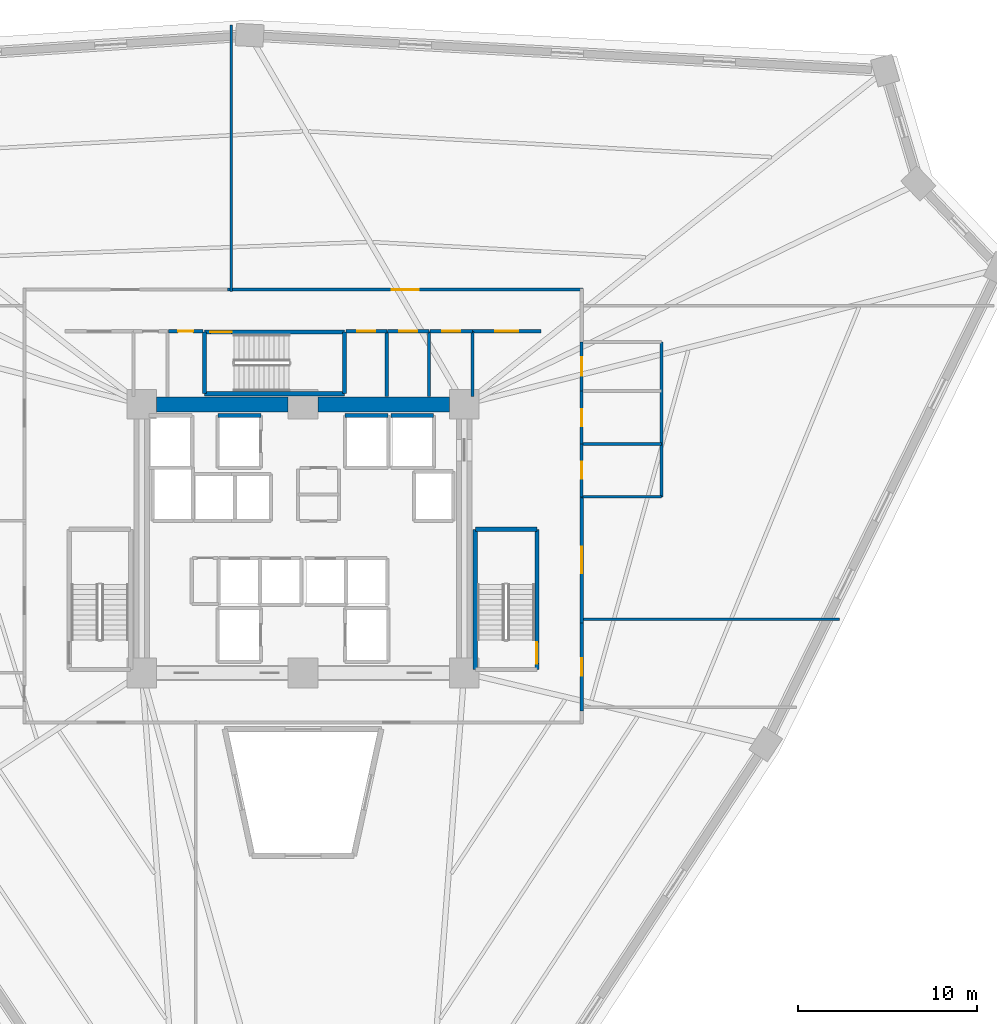
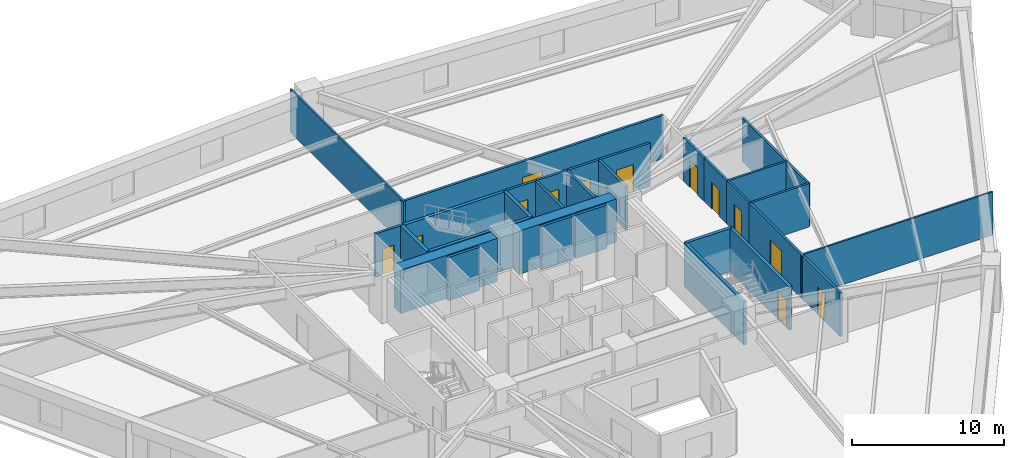
# One storey, part 6 of 8: 31 walls, 13 doors, 13 openings.
"""IFC4 building model written with IfcOpenShell, lengths in metres."""

from ifc_helpers import new_model, si_unit, direction, frame, frame_2d, origin, place, context, subcontext, project, spatial, rectangle, extrude, source, transform, mapped, material, layer, layer_set, type_object, element, fill, save


model = new_model("IFC4")

# Units and contexts
model_context = context("Model", 3, precision=1e-05, world=origin(), true_north=direction((0.0, 1.0)))
body_context = subcontext(model_context, "Body", "Model", "MODEL_VIEW")
ifc_project = project(units=[si_unit("LENGTHUNIT", "METRE"), si_unit("AREAUNIT", "SQUARE_METRE"), si_unit("VOLUMEUNIT", "CUBIC_METRE"), si_unit("PLANEANGLEUNIT", "RADIAN"), si_unit("MASSUNIT", "GRAM", prefix="KILO")], contexts=[model_context])

# Site, building, storey
site_placement = place(None, origin())
site = spatial("IfcSite", under=ifc_project, at=site_placement, CompositionType="ELEMENT")
building_placement = place(site_placement, origin())
building = spatial("IfcBuilding", under=site, at=building_placement, Name="Liaohun Quay Tower", CompositionType="ELEMENT")
storey_placement = place(building_placement, frame((0.0, 0.0, 43.5)))
storey = spatial("IfcBuildingStorey", under=building, at=storey_placement, Name="L11", CompositionType="ELEMENT", Elevation=43.5)

# Walls
ifc_material_1 = material(Name="Concrete C60", Category="concrete")
ifc_layer_1 = layer(ifc_material_1, 0.85009765625, Name="Concrete C60", Category="concrete")
ifc_layer_set_1 = layer_set([ifc_layer_1], Name="Concrete C60")
wall_type_1 = type_object("IfcWallType", Name="WAL-COR-Z1", PredefinedType="SHEAR", material=ifc_layer_set_1)
for number, where, z_axis, x_axis, name in (
    (1, (51.824951171875, 61.5, 0.0), (0.0, 0.0, 1.0), (1.0, 0.0, 0.0), "L11 Central Core Shear Wall N-W"),
    (2, (60.824951171875, 61.5, 0.0), (0.0, 0.0, 1.0), (1.0, 0.0, 0.0), "L11 Central Core Shear Wall N-E"),
):
    element("IfcWall", number, at=place(storey_placement, frame(where, z_axis=z_axis, x_axis=x_axis)), inside=storey, type_object=wall_type_1, Name=name, PredefinedType="SHEAR", context=body_context, shape_type="SweptSolid", body=[
        extrude(rectangle(XDim=7.35009765625, YDim=0.85009765625, at=frame_2d((3.675048828125, 0.0))), origin(), (0.0, 0.0, 1.0), 3.469970703125),
    ])

# Wall, opening, door
ifc_material_2 = material(Name="Autoclaved aerated concrete blockwork", Category="masonry")
ifc_layer_2 = layer(ifc_material_2, 0.179931640625, Name="Autoclaved aerated concrete blockwork", Category="masonry")
ifc_layer_set_2 = layer_set([ifc_layer_2], Name="Autoclaved aerated concrete blockwork")
wall_type_2 = type_object("IfcWallType", Name="WAL-PRT-COR", PredefinedType="PARTITIONING", material=ifc_layer_set_2)
wall_1_placement = place(storey_placement, frame((52.47998046875, 65.580078125, 0.0), z_axis=(0.0, 0.0, 1.0), x_axis=(1.0, 0.0, 0.0)))
wall_1 = element("IfcWall", 3, at=wall_1_placement, inside=storey, type_object=wall_type_2, Name="L11 Interior Partition Wall 008", PredefinedType="PARTITIONING", context=body_context, shape_type="SweptSolid", body=[
    extrude(rectangle(XDim=1.929931640625, YDim=0.179931640625, at=frame_2d((0.96484375, 0.0))), origin(), (0.0, 0.0, 1.0), 3.469970703125),
])
shared_shape_1 = source(origin(), body_context, "Body", "SweptSolid", [
    extrude(rectangle(XDim=0.85009765625, YDim=2.10009765625, at=frame_2d((0.425048828125, 1.050048828125))), frame((0.0, 0.099853515625, 0.0), z_axis=(0.0, -1.0, 0.0), x_axis=(1.0, 0.0, 0.0)), (0.0, 0.0, 1.0), 0.199951171875),
])
opening_1_placement = place(wall_1_placement, frame((0.5400390625, 0.0, 0.0)))
opening_1 = element("IfcOpeningElement", 4, at=opening_1_placement, cuts=wall_1, Name="Opening AD1", PredefinedType="OPENING", context=body_context, shape_type="MappedRepresentation", body=[
    mapped(shared_shape_1, transform((0.0, 0.0, 0.0), x_axis=(1.0, 0.0, 0.0), y_axis=(0.0, 1.0, 0.0), z_axis=(0.0, 0.0, 1.0), scale=1.0)),
])
ifc_material_3 = material(Name="Steel riser inspection fire door", Category="steel")
door_type_1 = type_object("IfcDoorType", Name="DOR-SHF-850", OperationType="NOTDEFINED", PredefinedType="DOOR", material=ifc_material_3)
shared_shape_2 = source(origin(), body_context, "Body", "SweptSolid", [
    extrude(rectangle(XDim=0.85009765625, YDim=2.10009765625, at=frame_2d((0.425048828125, 1.050048828125))), frame((0.0, 0.02490234375, 0.0), z_axis=(0.0, -1.0, 0.0), x_axis=(1.0, 0.0, 0.0)), (0.0, 0.0, 1.0), 0.050048828125),
])
door_1_placement = place(opening_1_placement, origin())
door_1 = element("IfcDoor", 5, at=door_1_placement, inside=storey, type_object=door_type_1, Name="L11 North-West Print Closet Door", OperationType="SINGLE_SWING_LEFT", OverallHeight=2.10009765625, OverallWidth=0.85009765625, PredefinedType="DOOR", context=body_context, shape_type="MappedRepresentation", body=[
    mapped(shared_shape_2, transform((0.0, 0.0, 0.0), x_axis=(1.0, 0.0, 0.0), y_axis=(0.0, 1.0, 0.0), z_axis=(0.0, 0.0, 1.0), scale=1.0)),
])
fill(opening_1, door_1)

wall_2_placement = place(storey_placement, frame((62.389892578125, 65.580078125, 0.0), z_axis=(0.0, 0.0, 1.0), x_axis=(1.0, 0.0, 0.0)))
wall_2 = element("IfcWall", 6, at=wall_2_placement, inside=storey, type_object=wall_type_2, Name="L11 Interior Partition Wall 009", PredefinedType="PARTITIONING", context=body_context, shape_type="SweptSolid", body=[
    extrude(rectangle(XDim=2.2900390625, YDim=0.179931640625, at=frame_2d((1.14501953125, 0.0))), origin(), (0.0, 0.0, 1.0), 3.469970703125),
])
shared_shape_3 = source(origin(), body_context, "Body", "SweptSolid", [
    extrude(rectangle(XDim=1.0, YDim=2.199951171875, at=frame_2d((0.5, 1.10009765625))), frame((0.0, 0.099853515625, 0.0), z_axis=(0.0, -1.0, 0.0), x_axis=(1.0, 0.0, 0.0)), (0.0, 0.0, 1.0), 0.199951171875),
])
opening_2_placement = place(wall_2_placement, frame((0.64501953125, 0.0, 0.0)))
opening_2 = element("IfcOpeningElement", 7, at=opening_2_placement, cuts=wall_2, Name="Opening OD1", PredefinedType="OPENING", context=body_context, shape_type="MappedRepresentation", body=[
    mapped(shared_shape_3, transform((0.0, 0.0, 0.0), x_axis=(1.0, 0.0, 0.0), y_axis=(0.0, 1.0, 0.0), z_axis=(0.0, 0.0, 1.0), scale=1.0)),
])
ifc_material_4 = material(Name="Solid-core oak veneer timber leaf in steel frame", Category="steel")
door_type_2 = type_object("IfcDoorType", Name="DOR-OFF-1000", OperationType="NOTDEFINED", PredefinedType="DOOR", material=ifc_material_4)
shared_shape_4 = source(origin(), body_context, "Body", "SweptSolid", [
    extrude(rectangle(XDim=1.0, YDim=2.199951171875, at=frame_2d((0.5, 1.10009765625))), frame((0.0, 0.02490234375, 0.0), z_axis=(0.0, -1.0, 0.0), x_axis=(1.0, 0.0, 0.0)), (0.0, 0.0, 1.0), 0.050048828125),
])
door_2_placement = place(opening_2_placement, origin())
door_2 = element("IfcDoor", 8, at=door_2_placement, inside=storey, type_object=door_type_2, Name="L11 North-East Mail Store Door", OperationType="SINGLE_SWING_RIGHT", OverallHeight=2.199951171875, OverallWidth=1.0, PredefinedType="DOOR", context=body_context, shape_type="MappedRepresentation", body=[
    mapped(shared_shape_4, transform((0.0, 0.0, 0.0), x_axis=(1.0, 0.0, 0.0), y_axis=(0.0, 1.0, 0.0), z_axis=(0.0, 0.0, 1.0), scale=1.0)),
])
fill(opening_2, door_2)

wall_3_placement = place(storey_placement, frame((64.719970703125, 65.580078125, 0.0), z_axis=(0.0, 0.0, 1.0), x_axis=(1.0, 0.0, 0.0)))
wall_3 = element("IfcWall", 9, at=wall_3_placement, inside=storey, type_object=wall_type_2, Name="L11 Interior Partition Wall 010", PredefinedType="PARTITIONING", context=body_context, shape_type="SweptSolid", body=[
    extrude(rectangle(XDim=2.320068359375, YDim=0.179931640625, at=frame_2d((1.16015625, 0.0))), origin(), (0.0, 0.0, 1.0), 3.469970703125),
])
opening_3_placement = place(wall_3_placement, frame((0.659912109375, 0.0, 0.0)))
opening_3 = element("IfcOpeningElement", 10, at=opening_3_placement, cuts=wall_3, Name="Opening OD1", PredefinedType="OPENING", context=body_context, shape_type="MappedRepresentation", body=[
    mapped(shared_shape_3, transform((0.0, 0.0, 0.0), x_axis=(1.0, 0.0, 0.0), y_axis=(0.0, 1.0, 0.0), z_axis=(0.0, 0.0, 1.0), scale=1.0)),
])
door_3_placement = place(opening_3_placement, origin())
door_3 = element("IfcDoor", 11, at=door_3_placement, inside=storey, type_object=door_type_2, Name="L11 North-East Comms Room Door", OperationType="SINGLE_SWING_LEFT", OverallHeight=2.199951171875, OverallWidth=1.0, PredefinedType="DOOR", context=body_context, shape_type="MappedRepresentation", body=[
    mapped(shared_shape_4, transform((0.0, 0.0, 0.0), x_axis=(1.0, 0.0, 0.0), y_axis=(0.0, 1.0, 0.0), z_axis=(0.0, 0.0, 1.0), scale=1.0)),
])
fill(opening_3, door_3)

wall_4_placement = place(storey_placement, frame((67.080078125, 65.580078125, 0.0), z_axis=(0.0, 0.0, 1.0), x_axis=(1.0, 0.0, 0.0)))
wall_4 = element("IfcWall", 12, at=wall_4_placement, inside=storey, type_object=wall_type_2, Name="L11 Interior Partition Wall 011", PredefinedType="PARTITIONING", context=body_context, shape_type="SweptSolid", body=[
    extrude(rectangle(XDim=2.3798828125, YDim=0.179931640625, at=frame_2d((1.18994140625, 0.0))), origin(), (0.0, 0.0, 1.0), 3.469970703125),
])
opening_4_placement = place(wall_4_placement, frame((0.68994140625, 0.0, 0.0)))
opening_4 = element("IfcOpeningElement", 13, at=opening_4_placement, cuts=wall_4, Name="Opening OD1", PredefinedType="OPENING", context=body_context, shape_type="MappedRepresentation", body=[
    mapped(shared_shape_3, transform((0.0, 0.0, 0.0), x_axis=(1.0, 0.0, 0.0), y_axis=(0.0, 1.0, 0.0), z_axis=(0.0, 0.0, 1.0), scale=1.0)),
])
door_4_placement = place(opening_4_placement, origin())
door_4 = element("IfcDoor", 14, at=door_4_placement, inside=storey, type_object=door_type_2, Name="L11 North-East Cleaner Store Door", OperationType="SINGLE_SWING_RIGHT", OverallHeight=2.199951171875, OverallWidth=1.0, PredefinedType="DOOR", context=body_context, shape_type="MappedRepresentation", body=[
    mapped(shared_shape_4, transform((0.0, 0.0, 0.0), x_axis=(1.0, 0.0, 0.0), y_axis=(0.0, 1.0, 0.0), z_axis=(0.0, 0.0, 1.0), scale=1.0)),
])
fill(opening_4, door_4)

wall_5_placement = place(storey_placement, frame((69.4599609375, 65.580078125, 0.0), z_axis=(0.0, 0.0, 1.0), x_axis=(1.0, 0.0, 0.0)))
wall_5 = element("IfcWall", 15, at=wall_5_placement, inside=storey, type_object=wall_type_2, Name="L11 Interior Partition Wall 013", PredefinedType="PARTITIONING", context=body_context, shape_type="SweptSolid", body=[
    extrude(rectangle(XDim=3.840087890625, YDim=0.179931640625, at=frame_2d((1.919921875, 0.0))), origin(), (0.0, 0.0, 1.0), 3.469970703125),
])
shared_shape_5 = source(origin(), body_context, "Body", "SweptSolid", [
    extrude(rectangle(XDim=1.300048828125, YDim=2.199951171875, at=frame_2d((0.64990234375, 1.10009765625))), frame((0.0, 0.099853515625, 0.0), z_axis=(0.0, -1.0, 0.0), x_axis=(1.0, 0.0, 0.0)), (0.0, 0.0, 1.0), 0.199951171875),
])
opening_5_placement = place(wall_5_placement, frame((1.27001953125, 0.0, 0.0)))
opening_5 = element("IfcOpeningElement", 16, at=opening_5_placement, cuts=wall_5, Name="Opening FD1", PredefinedType="OPENING", context=body_context, shape_type="MappedRepresentation", body=[
    mapped(shared_shape_5, transform((0.0, 0.0, 0.0), x_axis=(1.0, 0.0, 0.0), y_axis=(0.0, 1.0, 0.0), z_axis=(0.0, 0.0, 1.0), scale=1.0)),
])
ifc_material_5 = material(Name="Galvanised steel smokeproof fire door", Category="steel")
door_type_3 = type_object("IfcDoorType", Name="DOR-FFL-1300", OperationType="NOTDEFINED", PredefinedType="DOOR", material=ifc_material_5)
shared_shape_6 = source(origin(), body_context, "Body", "SweptSolid", [
    extrude(rectangle(XDim=1.300048828125, YDim=2.199951171875, at=frame_2d((0.64990234375, 1.10009765625))), frame((0.0, 0.02490234375, 0.0), z_axis=(0.0, -1.0, 0.0), x_axis=(1.0, 0.0, 0.0)), (0.0, 0.0, 1.0), 0.050048828125),
])
door_5_placement = place(opening_5_placement, origin())
door_5 = element("IfcDoor", 17, at=door_5_placement, inside=storey, type_object=door_type_3, Name="L11 East Core Vestibule Door", OperationType="SINGLE_SWING_RIGHT", OverallHeight=2.199951171875, OverallWidth=1.300048828125, PredefinedType="DOOR", context=body_context, shape_type="MappedRepresentation", body=[
    mapped(shared_shape_6, transform((0.0, 0.0, 0.0), x_axis=(1.0, 0.0, 0.0), y_axis=(0.0, 1.0, 0.0), z_axis=(0.0, 0.0, 1.0), scale=1.0)),
])
fill(opening_5, door_5)

wall_6_placement = place(storey_placement, frame((75.56005859375, 56.340087890625, 0.0), z_axis=(0.0, 0.0, 1.0), x_axis=(0.0, -1.0, 0.0)))
wall_6 = element("IfcWall", 18, at=wall_6_placement, inside=storey, type_object=wall_type_2, Name="L11 Interior Partition Wall 014", PredefinedType="PARTITIONING", context=body_context, shape_type="SweptSolid", body=[
    extrude(rectangle(XDim=7.05517578125, YDim=0.179931640625, at=frame_2d((3.527587890625, 0.0))), origin(), (0.0, 0.0, 1.0), 3.469970703125),
])
shared_shape_7 = source(origin(), body_context, "Body", "SweptSolid", [
    extrude(rectangle(XDim=1.5, YDim=2.199951171875, at=frame_2d((0.75, 1.10009765625))), frame((0.0, 0.099853515625, 0.0), z_axis=(0.0, -1.0, 0.0), x_axis=(1.0, 0.0, 0.0)), (0.0, 0.0, 1.0), 0.199951171875),
])
opening_6_placement = place(wall_6_placement, frame((2.778076171875, 0.0, 0.0)))
opening_6 = element("IfcOpeningElement", 19, at=opening_6_placement, cuts=wall_6, Name="Opening OD2", PredefinedType="OPENING", context=body_context, shape_type="MappedRepresentation", body=[
    mapped(shared_shape_7, transform((0.0, 0.0, 0.0), x_axis=(1.0, 0.0, 0.0), y_axis=(0.0, 1.0, 0.0), z_axis=(0.0, 0.0, 1.0), scale=1.0)),
])
ifc_material_6 = material(Name="Acoustic oak veneer double door")
door_type_4 = type_object("IfcDoorType", Name="DOR-OFF-1500", OperationType="DOUBLE_DOOR_SINGLE_SWING", PredefinedType="DOOR", material=ifc_material_6)
shared_shape_8 = source(origin(), body_context, "Body", "SweptSolid", [
    extrude(rectangle(XDim=1.5, YDim=2.199951171875, at=frame_2d((0.75, 1.10009765625))), frame((0.0, 0.02490234375, 0.0), z_axis=(0.0, -1.0, 0.0), x_axis=(1.0, 0.0, 0.0)), (0.0, 0.0, 1.0), 0.050048828125),
])
door_6_placement = place(opening_6_placement, origin())
door_6 = element("IfcDoor", 20, at=door_6_placement, inside=storey, type_object=door_type_4, Name="L11 Architectural Design Studio 01 Door", OperationType="DOUBLE_DOOR_SINGLE_SWING", OverallHeight=2.199951171875, OverallWidth=1.5, PredefinedType="DOOR", context=body_context, shape_type="MappedRepresentation", body=[
    mapped(shared_shape_8, transform((0.0, 0.0, 0.0), x_axis=(1.0, 0.0, 0.0), y_axis=(0.0, 1.0, 0.0), z_axis=(0.0, 0.0, 1.0), scale=1.0)),
])
fill(opening_6, door_6)

wall_7_placement = place(storey_placement, frame((55.784912109375, 67.909912109375, 0.0), z_axis=(0.0, 0.0, 1.0), x_axis=(1.0, 0.0, 0.0)))
wall_7 = element("IfcWall", 21, at=wall_7_placement, inside=storey, type_object=wall_type_2, Name="L11 Interior Partition Wall 015", PredefinedType="PARTITIONING", context=body_context, shape_type="SweptSolid", body=[
    extrude(rectangle(XDim=19.844970703125, YDim=0.179931640625, at=frame_2d((9.92236328125, 0.0))), origin(), (0.0, 0.0, 1.0), 3.469970703125),
])
opening_7_placement = place(wall_7_placement, frame((9.172119140625, 0.0, 0.0)))
opening_7 = element("IfcOpeningElement", 22, at=opening_7_placement, cuts=wall_7, Name="Opening OD2", PredefinedType="OPENING", context=body_context, shape_type="MappedRepresentation", body=[
    mapped(shared_shape_7, transform((0.0, 0.0, 0.0), x_axis=(1.0, 0.0, 0.0), y_axis=(0.0, 1.0, 0.0), z_axis=(0.0, 0.0, 1.0), scale=1.0)),
])
door_7_placement = place(opening_7_placement, origin())
door_7 = element("IfcDoor", 23, at=door_7_placement, inside=storey, type_object=door_type_4, Name="L11 Staff Daycare Nursery 02 Door", OperationType="DOUBLE_DOOR_SINGLE_SWING", OverallHeight=2.199951171875, OverallWidth=1.5, PredefinedType="DOOR", context=body_context, shape_type="MappedRepresentation", body=[
    mapped(shared_shape_8, transform((0.0, 0.0, 0.0), x_axis=(1.0, 0.0, 0.0), y_axis=(0.0, 1.0, 0.0), z_axis=(0.0, 0.0, 1.0), scale=1.0)),
])
fill(opening_7, door_7)

wall_8_placement = place(storey_placement, frame((75.56005859375, 49.284912109375, 0.0), z_axis=(0.0, 0.0, 1.0), x_axis=(0.0, -1.0, 0.0)))
wall_8 = element("IfcWall", 24, at=wall_8_placement, inside=storey, type_object=wall_type_2, Name="L11 Interior Partition Wall 022", PredefinedType="PARTITIONING", context=body_context, shape_type="SweptSolid", body=[
    extrude(rectangle(XDim=4.89990234375, YDim=0.179931640625, at=frame_2d((2.449951171875, 0.0))), origin(), (0.0, 0.0, 1.0), 3.469970703125),
])
opening_8_placement = place(wall_8_placement, frame((1.949951171875, 0.0, 0.0)))
opening_8 = element("IfcOpeningElement", 25, at=opening_8_placement, cuts=wall_8, Name="Opening OD1", PredefinedType="OPENING", context=body_context, shape_type="MappedRepresentation", body=[
    mapped(shared_shape_3, transform((0.0, 0.0, 0.0), x_axis=(1.0, 0.0, 0.0), y_axis=(0.0, 1.0, 0.0), z_axis=(0.0, 0.0, 1.0), scale=1.0)),
])
door_8_placement = place(opening_8_placement, origin())
door_8 = element("IfcDoor", 26, at=door_8_placement, inside=storey, type_object=door_type_2, Name="L11 Records Archive Store 09 Door", OperationType="SINGLE_SWING_LEFT", OverallHeight=2.199951171875, OverallWidth=1.0, PredefinedType="DOOR", context=body_context, shape_type="MappedRepresentation", body=[
    mapped(shared_shape_4, transform((0.0, 0.0, 0.0), x_axis=(1.0, 0.0, 0.0), y_axis=(0.0, 1.0, 0.0), z_axis=(0.0, 0.0, 1.0), scale=1.0)),
])
fill(opening_8, door_8)

# Walls
for number, where, z_axis, x_axis, name in (
    (27, (64.679931640625, 61.949951171875, 0.0), (0.0, 0.0, 1.0), (0.0, 1.0, 0.0), "L11 Interior Partition Wall 035"),
    (28, (67.0400390625, 61.949951171875, 0.0), (0.0, 0.0, 1.0), (0.0, 1.0, 0.0), "L11 Interior Partition Wall 036"),
    (29, (69.4599609375, 61.949951171875, 0.0), (0.0, 0.0, 1.0), (0.0, 1.0, 0.0), "L11 Interior Partition Wall 037"),
):
    element("IfcWall", number, at=place(storey_placement, frame(where, z_axis=z_axis, x_axis=x_axis)), inside=storey, type_object=wall_type_2, Name=name, PredefinedType="PARTITIONING", context=body_context, shape_type="SweptSolid", body=[
        extrude(rectangle(XDim=3.630126953125, YDim=0.179931640625, at=frame_2d((1.81494140625, 0.0))), origin(), (0.0, 0.0, 1.0), 3.469970703125),
    ])
ifc_material_7 = material(Name="Gypsum board on twin steel studs", Category="steel")
ifc_layer_3 = layer(ifc_material_7, 0.139892578125, Name="Gypsum board on twin steel studs", Category="steel")
ifc_layer_set_3 = layer_set([ifc_layer_3], Name="Gypsum board on twin steel studs")
wall_type_3 = type_object("IfcWallType", Name="WAL-PRT-OFF", PredefinedType="PARTITIONING", material=ifc_layer_set_3)
wall_9_placement = place(storey_placement, frame((75.4599609375, 49.5, 0.0), z_axis=(0.0, 0.0, 1.0), x_axis=(1.0, 0.0, 0.0)))
element("IfcWall", 30, at=wall_9_placement, inside=storey, type_object=wall_type_3, Name="L11 Interior Partition Wall 048", PredefinedType="PARTITIONING", context=body_context, shape_type="SweptSolid", body=[
    extrude(rectangle(XDim=14.508056640625, YDim=0.139892578125, at=frame_2d((7.25390625, 0.0))), origin(), (0.0, 0.0, 1.0), 3.469970703125),
])
wall_10_placement = place(storey_placement, frame((56.0, 67.81005859375, 0.0), z_axis=(0.0, 0.0, 1.0), x_axis=(0.0, 1.0, 0.0)))
element("IfcWall", 31, at=wall_10_placement, inside=storey, type_object=wall_type_3, Name="L11 Interior Partition Wall 050", PredefinedType="PARTITIONING", context=body_context, shape_type="SweptSolid", body=[
    extrude(rectangle(XDim=14.864990234375, YDim=0.139892578125, at=frame_2d((7.4326171875, 0.0))), origin(), (0.0, 0.0, 1.0), 3.469970703125),
])

# Wall, opening, door
ifc_material_8 = material(Name="Moisture-resistant masonry blockwork", Category="masonry")
ifc_layer_4 = layer(ifc_material_8, 0.159912109375, Name="Moisture-resistant masonry blockwork", Category="masonry")
ifc_layer_set_4 = layer_set([ifc_layer_4], Name="Moisture-resistant masonry blockwork")
wall_type_4 = type_object("IfcWallType", Name="WAL-PRT-WET", PredefinedType="PARTITIONING", material=ifc_layer_set_4)
wall_11_placement = place(storey_placement, frame((75.56005859375, 56.340087890625, 0.0), z_axis=(0.0, 0.0, 1.0), x_axis=(0.0, 1.0, 0.0)))
wall_11 = element("IfcWall", 32, at=wall_11_placement, inside=storey, type_object=wall_type_4, Name="L11 Interior Partition Wall 004", PredefinedType="PARTITIONING", context=body_context, shape_type="SweptSolid", body=[
    extrude(rectangle(XDim=2.93994140625, YDim=0.159912109375, at=frame_2d((1.469970703125, 0.0))), origin(), (0.0, 0.0, 1.0), 3.469970703125),
])
shared_shape_9 = source(origin(), body_context, "Body", "SweptSolid", [
    extrude(rectangle(XDim=0.949951171875, YDim=2.14990234375, at=frame_2d((0.47509765625, 1.074951171875))), frame((0.0, 0.08984375, 0.0), z_axis=(0.0, -1.0, 0.0), x_axis=(1.0, 0.0, 0.0)), (0.0, 0.0, 1.0), 0.179931640625),
])
opening_9_placement = place(wall_11_placement, frame((0.9951171875, 0.0, 0.0)))
opening_9 = element("IfcOpeningElement", 33, at=opening_9_placement, cuts=wall_11, Name="Opening WD1", PredefinedType="OPENING", context=body_context, shape_type="MappedRepresentation", body=[
    mapped(shared_shape_9, transform((0.0, 0.0, 0.0), x_axis=(1.0, 0.0, 0.0), y_axis=(0.0, 1.0, 0.0), z_axis=(0.0, 0.0, 1.0), scale=1.0)),
])
ifc_material_9 = material(Name="Moisture-resistant laminate timber leaf", Category="wood")
door_type_5 = type_object("IfcDoorType", Name="DOR-WC-950", OperationType="NOTDEFINED", PredefinedType="DOOR", material=ifc_material_9)
shared_shape_10 = source(origin(), body_context, "Body", "SweptSolid", [
    extrude(rectangle(XDim=0.949951171875, YDim=2.14990234375, at=frame_2d((0.47509765625, 1.074951171875))), frame((0.0, 0.02490234375, 0.0), z_axis=(0.0, -1.0, 0.0), x_axis=(1.0, 0.0, 0.0)), (0.0, 0.0, 1.0), 0.050048828125),
])
door_9_placement = place(opening_9_placement, origin())
door_9 = element("IfcDoor", 34, at=door_9_placement, inside=storey, type_object=door_type_5, Name="L11 Male Restroom WC Door", OperationType="SINGLE_SWING_LEFT", OverallHeight=2.14990234375, OverallWidth=0.949951171875, PredefinedType="DOOR", context=body_context, shape_type="MappedRepresentation", body=[
    mapped(shared_shape_10, transform((0.0, 0.0, 0.0), x_axis=(1.0, 0.0, 0.0), y_axis=(0.0, 1.0, 0.0), z_axis=(0.0, 0.0, 1.0), scale=1.0)),
])
fill(opening_9, door_9)

wall_12_placement = place(storey_placement, frame((75.56005859375, 59.280029296875, 0.0), z_axis=(0.0, 0.0, 1.0), x_axis=(0.0, 1.0, 0.0)))
wall_12 = element("IfcWall", 35, at=wall_12_placement, inside=storey, type_object=wall_type_4, Name="L11 Interior Partition Wall 005", PredefinedType="PARTITIONING", context=body_context, shape_type="SweptSolid", body=[
    extrude(rectangle(XDim=2.9599609375, YDim=0.159912109375, at=frame_2d((1.47998046875, 0.0))), origin(), (0.0, 0.0, 1.0), 3.469970703125),
])
opening_10_placement = place(wall_12_placement, frame((1.0048828125, 0.0, 0.0)))
opening_10 = element("IfcOpeningElement", 36, at=opening_10_placement, cuts=wall_12, Name="Opening WD1", PredefinedType="OPENING", context=body_context, shape_type="MappedRepresentation", body=[
    mapped(shared_shape_9, transform((0.0, 0.0, 0.0), x_axis=(1.0, 0.0, 0.0), y_axis=(0.0, 1.0, 0.0), z_axis=(0.0, 0.0, 1.0), scale=1.0)),
])
door_10_placement = place(opening_10_placement, origin())
door_10 = element("IfcDoor", 37, at=door_10_placement, inside=storey, type_object=door_type_5, Name="L11 Female Restroom WC Door", OperationType="SINGLE_SWING_RIGHT", OverallHeight=2.14990234375, OverallWidth=0.949951171875, PredefinedType="DOOR", context=body_context, shape_type="MappedRepresentation", body=[
    mapped(shared_shape_10, transform((0.0, 0.0, 0.0), x_axis=(1.0, 0.0, 0.0), y_axis=(0.0, 1.0, 0.0), z_axis=(0.0, 0.0, 1.0), scale=1.0)),
])
fill(opening_10, door_10)

wall_13_placement = place(storey_placement, frame((75.56005859375, 62.239990234375, 0.0), z_axis=(0.0, 0.0, 1.0), x_axis=(0.0, 1.0, 0.0)))
wall_13 = element("IfcWall", 38, at=wall_13_placement, inside=storey, type_object=wall_type_4, Name="L11 Interior Partition Wall 006", PredefinedType="PARTITIONING", context=body_context, shape_type="SweptSolid", body=[
    extrude(rectangle(XDim=2.739990234375, YDim=0.159912109375, at=frame_2d((1.3701171875, 0.0))), origin(), (0.0, 0.0, 1.0), 3.469970703125),
])
shared_shape_11 = source(origin(), body_context, "Body", "SweptSolid", [
    extrude(rectangle(XDim=1.050048828125, YDim=2.14990234375, at=frame_2d((0.52490234375, 1.074951171875))), frame((0.0, 0.08984375, 0.0), z_axis=(0.0, -1.0, 0.0), x_axis=(1.0, 0.0, 0.0)), (0.0, 0.0, 1.0), 0.179931640625),
])
opening_11_placement = place(wall_13_placement, frame((0.844970703125, 0.0, 0.0)))
opening_11 = element("IfcOpeningElement", 39, at=opening_11_placement, cuts=wall_13, Name="Opening WD2", PredefinedType="OPENING", context=body_context, shape_type="MappedRepresentation", body=[
    mapped(shared_shape_11, transform((0.0, 0.0, 0.0), x_axis=(1.0, 0.0, 0.0), y_axis=(0.0, 1.0, 0.0), z_axis=(0.0, 0.0, 1.0), scale=1.0)),
])
ifc_material_10 = material(Name="Accessible outward-swinging laminate door")
door_type_6 = type_object("IfcDoorType", Name="DOR-AWC-1050", OperationType="NOTDEFINED", PredefinedType="DOOR", material=ifc_material_10)
shared_shape_12 = source(origin(), body_context, "Body", "SweptSolid", [
    extrude(rectangle(XDim=1.050048828125, YDim=2.14990234375, at=frame_2d((0.52490234375, 1.074951171875))), frame((0.0, 0.02490234375, 0.0), z_axis=(0.0, -1.0, 0.0), x_axis=(1.0, 0.0, 0.0)), (0.0, 0.0, 1.0), 0.050048828125),
])
door_11_placement = place(opening_11_placement, origin())
door_11 = element("IfcDoor", 40, at=door_11_placement, inside=storey, type_object=door_type_6, Name="L11 Accessible WC Door", OperationType="SINGLE_SWING_LEFT", OverallHeight=2.14990234375, OverallWidth=1.050048828125, PredefinedType="DOOR", context=body_context, shape_type="MappedRepresentation", body=[
    mapped(shared_shape_12, transform((0.0, 0.0, 0.0), x_axis=(1.0, 0.0, 0.0), y_axis=(0.0, 1.0, 0.0), z_axis=(0.0, 0.0, 1.0), scale=1.0)),
])
fill(opening_11, door_11)

# Walls
wall_14_placement = place(storey_placement, frame((80.02001953125, 56.340087890625, 0.0), z_axis=(0.0, 0.0, 1.0), x_axis=(0.0, 1.0, 0.0)))
element("IfcWall", 41, at=wall_14_placement, inside=storey, type_object=wall_type_4, Name="L11 Interior Partition Wall 028", PredefinedType="PARTITIONING", context=body_context, shape_type="SweptSolid", body=[
    extrude(rectangle(XDim=8.639892578125, YDim=0.159912109375, at=frame_2d((4.31982421875, 0.0))), origin(), (0.0, 0.0, 1.0), 3.469970703125),
])
for number, where, z_axis, x_axis, name in (
    (42, (75.56005859375, 56.340087890625, 0.0), (0.0, 0.0, 1.0), (1.0, 0.0, 0.0), "L11 Interior Partition Wall 029"),
    (43, (75.56005859375, 59.280029296875, 0.0), (0.0, 0.0, 1.0), (1.0, 0.0, 0.0), "L11 Interior Partition Wall 030"),
):
    element("IfcWall", number, at=place(storey_placement, frame(where, z_axis=z_axis, x_axis=x_axis)), inside=storey, type_object=wall_type_4, Name=name, PredefinedType="PARTITIONING", context=body_context, shape_type="SweptSolid", body=[
        extrude(rectangle(XDim=4.4599609375, YDim=0.159912109375, at=frame_2d((2.22998046875, 0.0))), origin(), (0.0, 0.0, 1.0), 3.469970703125),
    ])

# Wall, opening, door
ifc_material_11 = material(Name="Concrete C50", Category="concrete")
ifc_layer_5 = layer(ifc_material_11, 0.239990234375, Name="Concrete C50", Category="concrete")
ifc_layer_set_5 = layer_set([ifc_layer_5], Name="Concrete C50")
wall_type_5 = type_object("IfcWallType", Name="WAL-SHF-200", PredefinedType="SOLIDWALL", material=ifc_layer_set_5)
wall_15_placement = place(storey_placement, frame((73.06005859375, 46.699951171875, 0.0), z_axis=(0.0, 0.0, 1.0), x_axis=(0.0, 1.0, 0.0)))
wall_15 = element("IfcWall", 44, at=wall_15_placement, inside=storey, type_object=wall_type_5, Name="L11 Stairwell ST-2 Structural Core Wall E", PredefinedType="SOLIDWALL", context=body_context, shape_type="SweptSolid", body=[
    extrude(rectangle(XDim=7.820068359375, YDim=0.239990234375, at=frame_2d((3.91015625, 0.0))), origin(), (0.0, 0.0, 1.0), 3.469970703125),
])
shared_shape_13 = source(origin(), body_context, "Body", "SweptSolid", [
    extrude(rectangle(XDim=1.199951171875, YDim=2.199951171875, at=frame_2d((0.60009765625, 1.10009765625))), frame((0.0, 0.1298828125, 0.0), z_axis=(0.0, -1.0, 0.0), x_axis=(1.0, 0.0, 0.0)), (0.0, 0.0, 1.0), 0.260009765625),
])
opening_12_placement = place(wall_15_placement, frame((0.320068359375, 0.0, 0.0)))
opening_12 = element("IfcOpeningElement", 45, at=opening_12_placement, cuts=wall_15, Name="Opening SD1", PredefinedType="OPENING", context=body_context, shape_type="MappedRepresentation", body=[
    mapped(shared_shape_13, transform((0.0, 0.0, 0.0), x_axis=(1.0, 0.0, 0.0), y_axis=(0.0, 1.0, 0.0), z_axis=(0.0, 0.0, 1.0), scale=1.0)),
])
ifc_material_12 = material(Name="Galvanised steel fire door", Category="steel")
door_type_7 = type_object("IfcDoorType", Name="DOR-STR-1200", OperationType="NOTDEFINED", PredefinedType="DOOR", material=ifc_material_12)
shared_shape_14 = source(origin(), body_context, "Body", "SweptSolid", [
    extrude(rectangle(XDim=1.199951171875, YDim=2.199951171875, at=frame_2d((0.60009765625, 1.10009765625))), frame((0.0, 0.02490234375, 0.0), z_axis=(0.0, -1.0, 0.0), x_axis=(1.0, 0.0, 0.0)), (0.0, 0.0, 1.0), 0.050048828125),
])
door_12_placement = place(opening_12_placement, origin())
door_12 = element("IfcDoor", 46, at=door_12_placement, inside=storey, type_object=door_type_7, Name="L11 Protected Stair ST-2 Fire Door", OperationType="SINGLE_SWING_RIGHT", OverallHeight=2.199951171875, OverallWidth=1.199951171875, PredefinedType="DOOR", context=body_context, shape_type="MappedRepresentation", body=[
    mapped(shared_shape_14, transform((0.0, 0.0, 0.0), x_axis=(1.0, 0.0, 0.0), y_axis=(0.0, 1.0, 0.0), z_axis=(0.0, 0.0, 1.0), scale=1.0)),
])
fill(opening_12, door_12)

# Walls
wall_16_placement = place(storey_placement, frame((73.06005859375, 54.52001953125, 0.0), z_axis=(0.0, 0.0, 1.0), x_axis=(-1.0, 0.0, 0.0)))
element("IfcWall", 47, at=wall_16_placement, inside=storey, type_object=wall_type_5, Name="L11 Stairwell ST-2 Structural Core Wall N", PredefinedType="SOLIDWALL", context=body_context, shape_type="SweptSolid", body=[
    extrude(rectangle(XDim=3.43994140625, YDim=0.239990234375, at=frame_2d((1.719970703125, 0.0))), origin(), (0.0, 0.0, 1.0), 3.469970703125),
])
for number, where, z_axis, x_axis, name in (
    (48, (69.6201171875, 54.52001953125, 0.0), (0.0, 0.0, 1.0), (0.0, -1.0, 0.0), "L11 Stairwell ST-2 Structural Core Wall W"),
    (49, (54.5, 62.10009765625, 0.0), (0.0, 0.0, 1.0), (1.0, 0.0, 0.0), "L11 Stairwell ST-3 Structural Core Wall S"),
):
    element("IfcWall", number, at=place(storey_placement, frame(where, z_axis=z_axis, x_axis=x_axis)), inside=storey, type_object=wall_type_5, Name=name, PredefinedType="SOLIDWALL", context=body_context, shape_type="SweptSolid", body=[
        extrude(rectangle(XDim=7.820068359375, YDim=0.239990234375, at=frame_2d((3.91015625, 0.0))), origin(), (0.0, 0.0, 1.0), 3.469970703125),
    ])
wall_17_placement = place(storey_placement, frame((62.320068359375, 62.10009765625, 0.0), z_axis=(0.0, 0.0, 1.0), x_axis=(0.0, 1.0, 0.0)))
element("IfcWall", 50, at=wall_17_placement, inside=storey, type_object=wall_type_5, Name="L11 Stairwell ST-3 Structural Core Wall E", PredefinedType="SOLIDWALL", context=body_context, shape_type="SweptSolid", body=[
    extrude(rectangle(XDim=3.43994140625, YDim=0.239990234375, at=frame_2d((1.719970703125, 0.0))), origin(), (0.0, 0.0, 1.0), 3.469970703125),
])

# Wall, opening, door
wall_18_placement = place(storey_placement, frame((62.320068359375, 65.5400390625, 0.0), z_axis=(0.0, 0.0, 1.0), x_axis=(-1.0, 0.0, 0.0)))
wall_18 = element("IfcWall", 51, at=wall_18_placement, inside=storey, type_object=wall_type_5, Name="L11 Stairwell ST-3 Structural Core Wall N", PredefinedType="SOLIDWALL", context=body_context, shape_type="SweptSolid", body=[
    extrude(rectangle(XDim=7.820068359375, YDim=0.239990234375, at=frame_2d((3.91015625, 0.0))), origin(), (0.0, 0.0, 1.0), 3.469970703125),
])
opening_13_placement = place(wall_18_placement, frame((6.300048828125, 0.0, 0.0)))
opening_13 = element("IfcOpeningElement", 52, at=opening_13_placement, cuts=wall_18, Name="Opening SD1", PredefinedType="OPENING", context=body_context, shape_type="MappedRepresentation", body=[
    mapped(shared_shape_13, transform((0.0, 0.0, 0.0), x_axis=(1.0, 0.0, 0.0), y_axis=(0.0, 1.0, 0.0), z_axis=(0.0, 0.0, 1.0), scale=1.0)),
])
door_13_placement = place(opening_13_placement, origin())
door_13 = element("IfcDoor", 53, at=door_13_placement, inside=storey, type_object=door_type_7, Name="L11 Protected Stair ST-3 Fire Door", OperationType="SINGLE_SWING_RIGHT", OverallHeight=2.199951171875, OverallWidth=1.199951171875, PredefinedType="DOOR", context=body_context, shape_type="MappedRepresentation", body=[
    mapped(shared_shape_14, transform((0.0, 0.0, 0.0), x_axis=(1.0, 0.0, 0.0), y_axis=(0.0, 1.0, 0.0), z_axis=(0.0, 0.0, 1.0), scale=1.0)),
])
fill(opening_13, door_13)

# Walls
wall_19_placement = place(storey_placement, frame((54.5, 65.5400390625, 0.0), z_axis=(0.0, 0.0, 1.0), x_axis=(0.0, -1.0, 0.0)))
element("IfcWall", 54, at=wall_19_placement, inside=storey, type_object=wall_type_5, Name="L11 Stairwell ST-3 Structural Core Wall W", PredefinedType="SOLIDWALL", context=body_context, shape_type="SweptSolid", body=[
    extrude(rectangle(XDim=3.43994140625, YDim=0.239990234375, at=frame_2d((1.719970703125, 0.0))), origin(), (0.0, 0.0, 1.0), 3.469970703125),
])
for number, where, z_axis, x_axis, name in (
    (55, (57.64990234375, 60.8798828125, 0.0), (0.0, 0.0, 1.0), (-1.0, 0.0, 0.0), "L11 Lift FF-03 Hoistway Wall N"),
    (56, (64.75, 60.8798828125, 0.0), (0.0, 0.0, 1.0), (-1.0, 0.0, 0.0), "L11 Lift OB-01 Hoistway Wall N"),
):
    element("IfcWall", number, at=place(storey_placement, frame(where, z_axis=z_axis, x_axis=x_axis)), inside=storey, type_object=wall_type_5, Name=name, PredefinedType="SOLIDWALL", context=body_context, shape_type="SweptSolid", body=[
        extrude(rectangle(XDim=2.39990234375, YDim=0.199951171875, at=frame_2d((1.199951171875, 0.0))), origin(), (0.0, 0.0, 1.0), 3.469970703125),
    ])
wall_20_placement = place(storey_placement, frame((67.300048828125, 60.8798828125, 0.0), z_axis=(0.0, 0.0, 1.0), x_axis=(-1.0, 0.0, 0.0)))
element("IfcWall", 57, at=wall_20_placement, inside=storey, type_object=wall_type_5, Name="L11 Lift OB-02 Hoistway Wall N", PredefinedType="SOLIDWALL", context=body_context, shape_type="SweptSolid", body=[
    extrude(rectangle(XDim=2.400146484375, YDim=0.199951171875, at=frame_2d((1.2001953125, 0.0))), origin(), (0.0, 0.0, 1.0), 3.469970703125),
])

save(model, "model.ifc")
